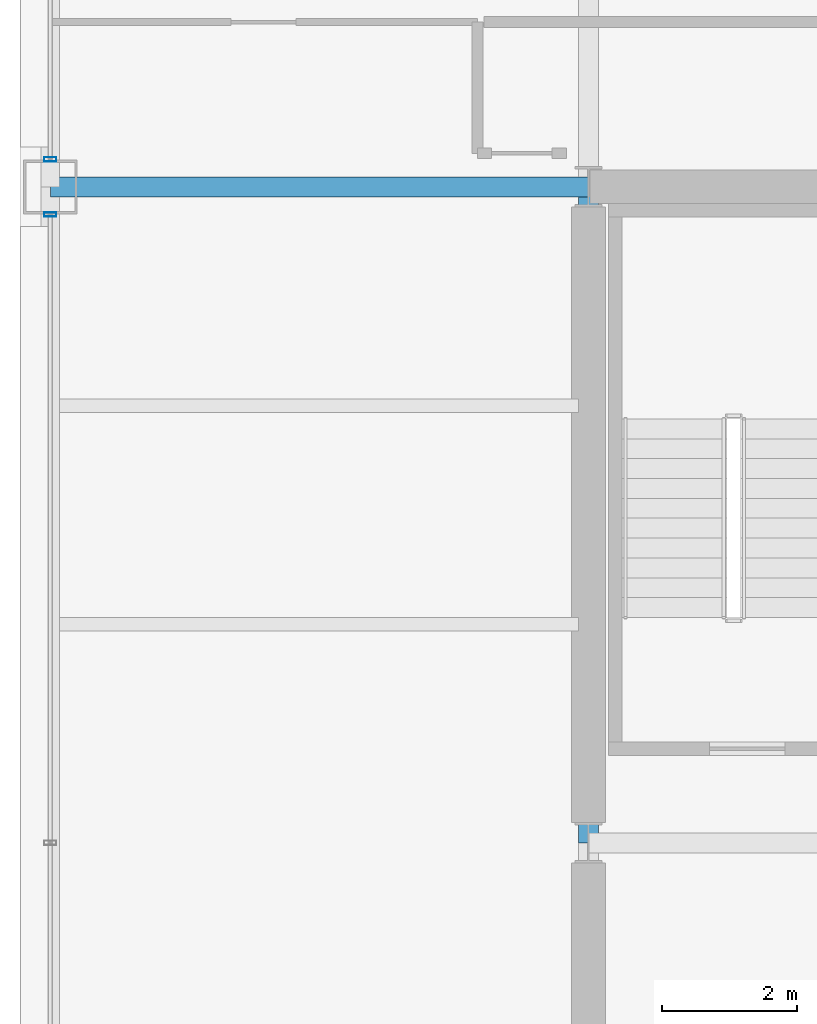
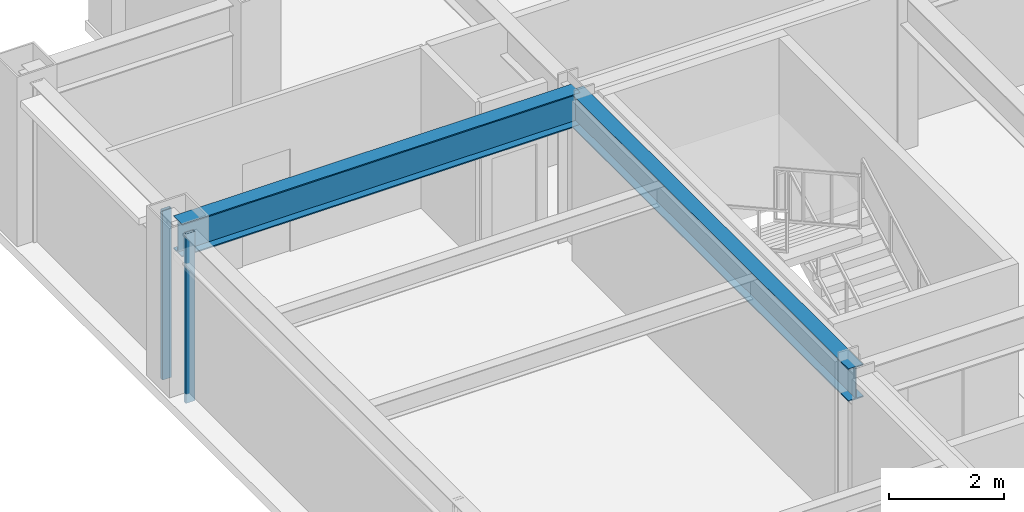
# One storey, part 10 of 29: 2 beams, 2 members, 2 elements without a shape of their own.
"""IFC4 building model written with IfcOpenShell, lengths in metres."""

from ifc_helpers import new_model, si_unit, direction, frame, origin, origin_2d, place, context, subcontext, project, spatial, hollow_rectangle, i_section, extrude, material, layer, layer_set, material_profile, profile_set, type_object, element, aggregate, save


model = new_model("IFC4")

# Units and contexts
model_context = context("Model", 3, precision=1e-05, world=origin(), true_north=direction((0.0, 1.0)))
body_context = subcontext(model_context, "Body", "Model", "MODEL_VIEW")
ifc_project = project(units=[si_unit("LENGTHUNIT", "METRE"), si_unit("AREAUNIT", "SQUARE_METRE"), si_unit("VOLUMEUNIT", "CUBIC_METRE"), si_unit("PLANEANGLEUNIT", "RADIAN"), si_unit("MASSUNIT", "GRAM", prefix="KILO")], contexts=[model_context])

# Site, building, storey
site_placement = place(None, origin())
site = spatial("IfcSite", under=ifc_project, at=site_placement, CompositionType="ELEMENT")
building_placement = place(site_placement, origin())
building = spatial("IfcBuilding", under=site, at=building_placement, Name="Brelmoor Portico Tower", CompositionType="ELEMENT")
storey_placement = place(building_placement, frame((0.0, 0.0, 127.800048828125)))
storey = spatial("IfcBuildingStorey", under=building, at=storey_placement, Name="L33", CompositionType="ELEMENT", Elevation=127.800048828125)

# Beams
ifc_material_1 = material(Name="Steel Q355B", Category="steel")
ifc_material_profile_1 = material_profile(ifc_material_1, i_section(OverallWidth=0.300048828125, OverallDepth=0.699951171875, WebThickness=0.012939453125, FlangeThickness=0.02392578125, at=origin_2d()), Name="HN 700x300x13x24")
ifc_profile_set_1 = profile_set([ifc_material_profile_1], Name="Steel Q355B")
beam_type = type_object("IfcBeamType", Name="BM-PG-700", PredefinedType="BEAM", material=ifc_profile_set_1)
beam_1_placement = place(storey_placement, frame((-14.550048828125, 0.0, 3.050048828125), z_axis=(0.0, 1.0, 0.0), x_axis=(-1.0, 0.0, 0.0)))
element("IfcBeam", 1, at=beam_1_placement, inside=storey, type_object=beam_type, Name="L33 Primary Floor Girder PG-03", PredefinedType="BEAM", context=body_context, shape_type="SweptSolid", body=[
    extrude(i_section(OverallWidth=0.300048828125, OverallDepth=0.699951171875, WebThickness=0.012939453125, FlangeThickness=0.02392578125, at=origin_2d()), origin(), (0.0, 0.0, 1.0), 9.75),
])
beam_2_placement = place(storey_placement, frame((-22.550048828125, 9.75, 3.050048828125), z_axis=(1.0, 0.0, 0.0), x_axis=(0.0, 1.0, 0.0)))
element("IfcBeam", 2, at=beam_2_placement, inside=storey, type_object=beam_type, Name="L33 Primary Floor Girder PG-22", PredefinedType="BEAM", context=body_context, shape_type="SweptSolid", body=[
    extrude(i_section(OverallWidth=0.300048828125, OverallDepth=0.699951171875, WebThickness=0.012939453125, FlangeThickness=0.02392578125, at=origin_2d()), origin(), (0.0, 0.0, 1.0), 8.0),
])

# Curtain wall, member
ifc_material_2 = material(Name="Anodised Aluminium Alloy 6063-T6", Category="aluminium")
ifc_layer = layer(ifc_material_2, 0.179931640625)
ifc_layer_set = layer_set([ifc_layer], Name="Anodised Aluminium Alloy 6063-T6")
curtain_wall_type = type_object("IfcCurtainWallType", Name="CW-TOWER-Z2-XB", PredefinedType="NOTDEFINED", material=ifc_layer_set)
curtain_wall_1_placement = place(storey_placement, origin())
curtain_wall_1 = element("IfcCurtainWall", 3, at=curtain_wall_1_placement, inside=storey, type_object=curtain_wall_type, Name="L33 Curtain Wall CW-L33-03-2", PredefinedType="NOTDEFINED")
ifc_material_profile_2 = material_profile(ifc_material_2, hollow_rectangle(XDim=0.06494140625, YDim=0.179931640625, WallThickness=0.00390625, at=origin_2d()), Name="ALU MULLION 65x180")
ifc_profile_set_2 = profile_set([ifc_material_profile_2], Name="Anodised Aluminium Alloy 6063-T6")
member_type = type_object("IfcMemberType", Name="MB-CW-MULL-180", PredefinedType="MULLION", material=ifc_profile_set_2)
member_1_placement = place(storey_placement, frame((-22.550048828125, 9.340087890625, -0.199951171875), z_axis=(0.0, 0.0, 1.0), x_axis=(0.0, 1.0, 0.0)))
member_1 = element("IfcMember", 4, at=member_1_placement, type_object=member_type, Name="CW-L33-03-2 Mullion 02", PredefinedType="MULLION", context=body_context, shape_type="SweptSolid", body=[
    extrude(hollow_rectangle(XDim=0.06494140625, YDim=0.179931640625, WallThickness=0.00390625, at=origin_2d()), origin(), (0.0, 0.0, 1.0), 3.599853515625),
])
aggregate(curtain_wall_1, [member_1])

curtain_wall_2_placement = place(storey_placement, origin())
curtain_wall_2 = element("IfcCurtainWall", 5, at=curtain_wall_2_placement, inside=storey, type_object=curtain_wall_type, Name="L33 Curtain Wall CW-L33-03-3", PredefinedType="NOTDEFINED")
member_2_placement = place(storey_placement, frame((-22.550048828125, 10.159912109375, -0.199951171875), z_axis=(0.0, 0.0, 1.0), x_axis=(0.0, 1.0, 0.0)))
member_2 = element("IfcMember", 6, at=member_2_placement, type_object=member_type, Name="CW-L33-03-3 Mullion 00", PredefinedType="MULLION", context=body_context, shape_type="SweptSolid", body=[
    extrude(hollow_rectangle(XDim=0.06494140625, YDim=0.179931640625, WallThickness=0.00390625, at=origin_2d()), origin(), (0.0, 0.0, 1.0), 3.599853515625),
])
aggregate(curtain_wall_2, [member_2])

save(model, "model.ifc")
